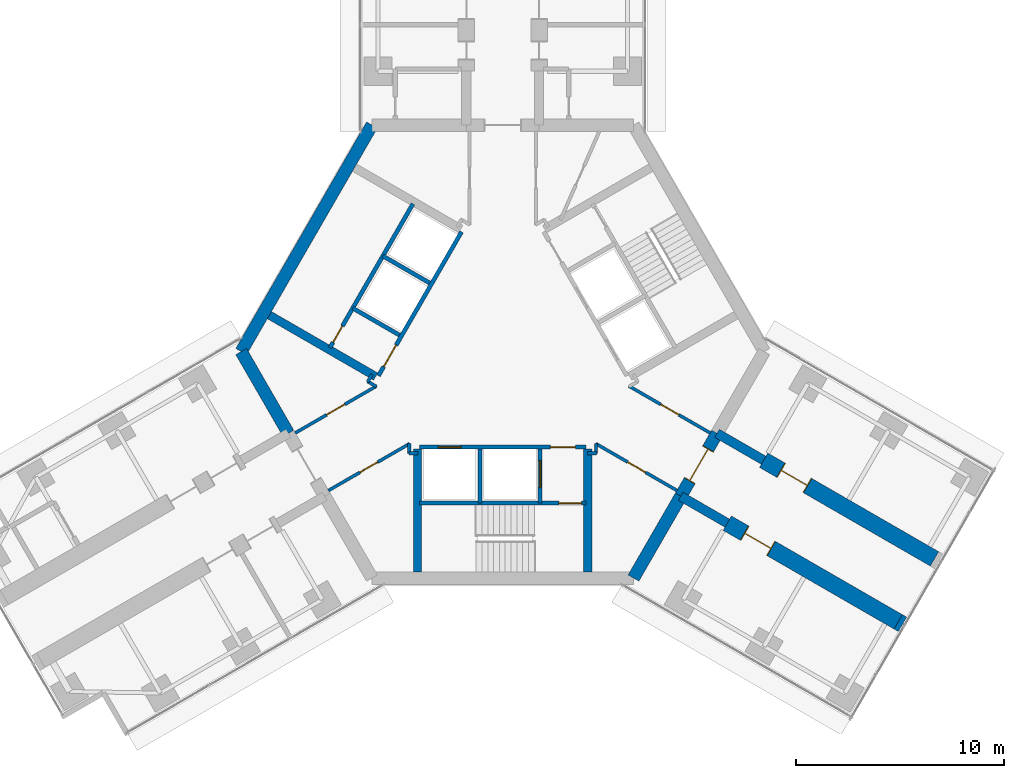
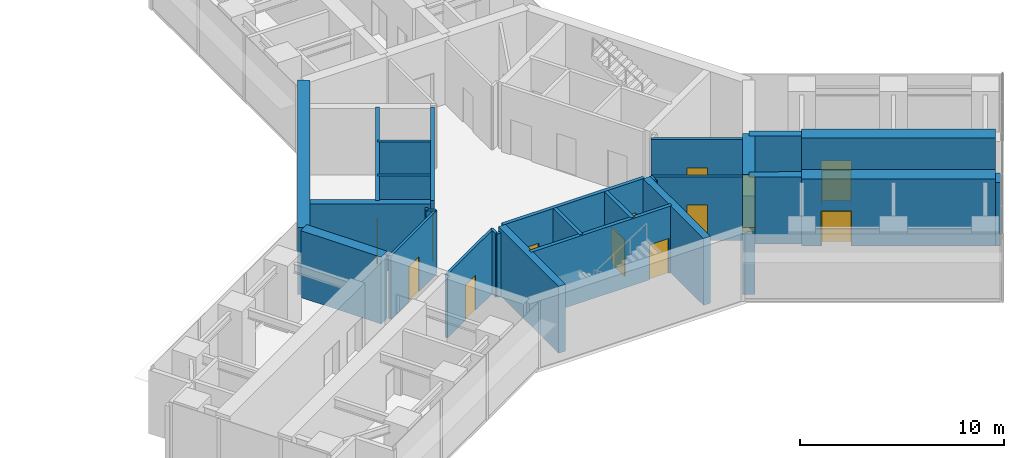
# One storey, part 18 of 21: 30 walls, 13 doors, 13 openings.
"""IFC4 building model written with IfcOpenShell, lengths in metres."""

import ifcopenshell
import ifcopenshell.guid

model = None  # the IFC model being written
_history = None  # IfcOwnerHistory: only IFC2X3 demands one
_inside = {}  # id of a spatial element -> (the spatial element, [elements in it])
_under = {}  # id of a project, library or spatial element -> (it, [spatial elements below it])
_declared = {}  # id of a project -> (the project, [libraries it declares])
_typed = {}  # id of a type object -> (the type object, [elements of that type])
_made_of = {}  # id of a material, layer set ... -> (it, [elements and type objects made of it])


def new_model(schema):
    """Start an empty IFC model of exactly this schema.

    Asked for "IFC4X3", IfcOpenShell would pick the latest addendum, in which some entities
    have other attributes; the version numbers below select the first issue.
    IFC2X3 requires an IfcOwnerHistory on every rooted entity: one is made here for all.
    """
    global model, _history
    if schema == "IFC4X3":
        model = ifcopenshell.file(schema_version=(4, 3, 0, 0))
    else:
        model = ifcopenshell.file(schema=schema)
    _inside.clear()
    _under.clear()
    _declared.clear()
    _typed.clear()
    _made_of.clear()
    _history = None
    if model.schema == "IFC2X3":
        org = make("IfcOrganization", Name="unknown")
        user = make(
            "IfcPersonAndOrganization",
            ThePerson=make("IfcPerson", FamilyName="unknown"),
            TheOrganization=org,
        )
        app = make(
            "IfcApplication",
            ApplicationDeveloper=org,
            Version="unknown",
            ApplicationFullName="unknown",
            ApplicationIdentifier="unknown",
        )
        _history = make(
            "IfcOwnerHistory",
            OwningUser=user,
            OwningApplication=app,
            ChangeAction="ADDED",
            CreationDate=0,
        )
    return model


def make(cls, **values):
    """One entity of the class cls with the attributes given. An attribute that is None is left unset."""
    return model.create_entity(
        cls, **{name: value for name, value in values.items() if value is not None}
    )


def rooted(cls, **values):
    """An entity with a GlobalId (a new one), such as an element, a storey or a relation."""
    return make(cls, GlobalId=ifcopenshell.guid.new(), OwnerHistory=_history, **values)


def si_unit(unit_type, name, prefix=None):
    """IfcSIUnit, for example si_unit("LENGTHUNIT", "METRE", prefix="MILLI")."""
    return make("IfcSIUnit", UnitType=unit_type, Prefix=prefix, Name=name)


def assignment(units):
    """IfcUnitAssignment: the units of a project."""
    return None if units is None else make("IfcUnitAssignment", Units=units)


def point(xyz):
    """IfcCartesianPoint."""
    return None if xyz is None else make("IfcCartesianPoint", Coordinates=xyz)


def direction(xyz):
    """IfcDirection."""
    return None if xyz is None else make("IfcDirection", DirectionRatios=xyz)


def frame(location, z_axis=None, x_axis=None):
    """IfcAxis2Placement3D, a coordinate frame: its origin and axes. An axis left out is left unset."""
    return make(
        "IfcAxis2Placement3D",
        Location=point(location),
        Axis=direction(z_axis),
        RefDirection=direction(x_axis),
    )


def frame_2d(location, x_axis=None):
    """IfcAxis2Placement2D, a coordinate frame in the plane: its origin and x axis."""
    return make(
        "IfcAxis2Placement2D", Location=point(location), RefDirection=direction(x_axis)
    )


def origin():
    """The frame at (0, 0, 0) with its axes left unset."""
    return frame((0.0, 0.0, 0.0))


def place(relative_to, where):
    """IfcLocalPlacement: puts the frame where relative to a parent placement (None: the world)."""
    return make(
        "IfcLocalPlacement", PlacementRelTo=relative_to, RelativePlacement=where
    )


def context(
    kind, dimensions, precision=None, world=None, true_north=None, identifier=None
):
    """IfcGeometricRepresentationContext, for example the 3D "Model" context."""
    return make(
        "IfcGeometricRepresentationContext",
        ContextIdentifier=identifier,
        ContextType=kind,
        CoordinateSpaceDimension=dimensions,
        Precision=precision,
        WorldCoordinateSystem=world,
        TrueNorth=true_north,
    )


def subcontext(parent, identifier, kind, view, scale=None):
    """IfcGeometricRepresentationSubContext, for example "Body" below "Model"."""
    return make(
        "IfcGeometricRepresentationSubContext",
        ContextIdentifier=identifier,
        ContextType=kind,
        ParentContext=parent,
        TargetScale=scale,
        TargetView=view,
    )


def project(units=None, contexts=None):
    """IfcProject with its units and contexts."""
    return rooted(
        "IfcProject",
        Name="project",
        RepresentationContexts=contexts,
        UnitsInContext=assignment(units),
    )


def spatial(cls, under=None, at=None, **own):
    """A site, building, storey or space (cls), placed at a placement, below another one or the project."""
    s = rooted(cls, ObjectPlacement=at, **own)
    if under is not None:
        _under.setdefault(under.id(), (under, []))[1].append(s)
    return s


def profile(cls, at=None, kind="AREA", **sizes):
    """A parametric profile (cls). Its sizes go by their IFC names, for example OverallWidth=200.0."""
    return make(cls, ProfileType=kind, Position=at, **sizes)


def rectangle(**sizes):
    """IfcRectangleProfileDef."""
    return profile("IfcRectangleProfileDef", **sizes)


def extrude(swept, where, along, depth):
    """IfcExtrudedAreaSolid: the profile swept, set in the frame where, extruded along a direction by depth."""
    return make(
        "IfcExtrudedAreaSolid",
        SweptArea=swept,
        Position=where,
        ExtrudedDirection=direction(along),
        Depth=depth,
    )


def shape(context_of_items, identifier, shape_type, items):
    """IfcShapeRepresentation: the items that make up one representation, for example the "Body"."""
    return make(
        "IfcShapeRepresentation",
        ContextOfItems=context_of_items,
        RepresentationIdentifier=identifier,
        RepresentationType=shape_type,
        Items=items,
    )


def material(Name=None, Category=None):
    """IfcMaterial."""
    return make("IfcMaterial", Name=Name, Category=Category)


def layer(
    of_material, thickness, ventilated=None, Name=None, Category=None, Priority=None
):
    """IfcMaterialLayer: one layer of a wall or slab, of a material (None: an air gap)."""
    return make(
        "IfcMaterialLayer",
        Material=of_material,
        LayerThickness=thickness,
        IsVentilated=ventilated,
        Name=Name,
        Category=Category,
        Priority=Priority,
    )


def layer_set(layers, Name=None):
    """IfcMaterialLayerSet."""
    return make("IfcMaterialLayerSet", MaterialLayers=layers, LayerSetName=Name)


def made_of(thing, what):
    """Note that an element or type object is made of a material, layer set ...; save() writes the relation."""
    if what is not None:
        _made_of.setdefault(what.id(), (what, []))[1].append(thing)
    return thing


def type_object(cls, material=None, **own):
    """A type object (cls), such as IfcWallType, which elements share."""
    return made_of(rooted(cls, **own), material)


def element(
    cls,
    number,
    at=None,
    inside=None,
    cuts=None,
    type_object=None,
    material=None,
    context=None,
    identifier="Body",
    shape_type=None,
    held_by="IfcProductDefinitionShape",
    body=None,
    shapes=None,
    **own,
):
    """One element of the class cls, such as IfcWall. Its Tag is "e" and its number.

    at: its placement. inside: the storey or other place that contains it. cuts: it is an
    opening in that element (IfcRelVoidsElement). A single representation is given by context,
    identifier, shape_type and body (its items); several are given by shapes. held_by: the class
    of the entity that holds the representations. save() writes the other relations.
    """
    e = rooted(cls, Tag="e%d" % number, ObjectPlacement=at, **own)
    if body is not None:
        shapes = [shape(context, identifier, shape_type, body)]
    if shapes is not None:
        e.Representation = make(held_by, Representations=shapes)
    if inside is not None:
        _inside.setdefault(inside.id(), (inside, []))[1].append(e)
    if cuts is not None:
        rooted(
            "IfcRelVoidsElement", RelatingBuildingElement=cuts, RelatedOpeningElement=e
        )
    if type_object is not None:
        _typed.setdefault(type_object.id(), (type_object, []))[1].append(e)
    return made_of(e, material)


def fill(opening, filler):
    """IfcRelFillsElement: the door or window that sits in an opening."""
    return rooted(
        "IfcRelFillsElement",
        RelatingOpeningElement=opening,
        RelatedBuildingElement=filler,
    )


def aggregate(whole, parts):
    """IfcRelAggregates: a whole, such as a stair, and the parts it consists of."""
    return rooted("IfcRelAggregates", RelatingObject=whole, RelatedObjects=parts)


def save(model, path):
    """Write the relations noted so far, then the file.

    IfcRelAggregates (storeys below a building ...), IfcRelContainedInSpatialStructure (elements
    in a storey), IfcRelDefinesByType, IfcRelAssociatesMaterial and IfcRelDeclares: one each for
    every whole, place, type object, material and project.
    """
    for whole, parts in _under.values():
        aggregate(whole, parts)
    for where, things in _inside.values():
        rooted(
            "IfcRelContainedInSpatialStructure",
            RelatedElements=things,
            RelatingStructure=where,
        )
    for kind, things in _typed.values():
        rooted("IfcRelDefinesByType", RelatedObjects=things, RelatingType=kind)
    for what, things in _made_of.values():
        rooted("IfcRelAssociatesMaterial", RelatedObjects=things, RelatingMaterial=what)
    for by, libraries in _declared.values():
        rooted("IfcRelDeclares", RelatingContext=by, RelatedDefinitions=libraries)
    model.write(path)


model = new_model("IFC4")

# Units and contexts
model_context = context("Model", 3, precision=1e-05, world=origin(), true_north=direction((0.0, 1.0)))
body_context = subcontext(model_context, "Body", "Model", "MODEL_VIEW")
ifc_project = project(units=[si_unit("LENGTHUNIT", "METRE"), si_unit("AREAUNIT", "SQUARE_METRE"), si_unit("VOLUMEUNIT", "CUBIC_METRE"), si_unit("PLANEANGLEUNIT", "RADIAN"), si_unit("MASSUNIT", "GRAM", prefix="KILO")], contexts=[model_context])

# Site, building, storey
site_placement = place(None, origin())
site = spatial("IfcSite", under=ifc_project, at=site_placement, CompositionType="ELEMENT")
building_placement = place(site_placement, origin())
building = spatial("IfcBuilding", under=site, at=building_placement, Name="Upepo Twin Towers", CompositionType="ELEMENT")
storey_placement = place(building_placement, frame((0.0, 0.0, 109.5)))
storey = spatial("IfcBuildingStorey", under=building, at=storey_placement, Name="L26", CompositionType="ELEMENT", Elevation=109.5)

# Walls
ifc_material_1 = material(Name="Dense concrete blockwork", Category="masonry")
ifc_layer_1 = layer(ifc_material_1, 0.800048828125)
ifc_layer_set_1 = layer_set([ifc_layer_1], Name="Buttress closer 800, blockwork with fire-stopping to the curtain wall")
wall_type_1 = type_object("IfcWallType", Name="Buttress closer 800, blockwork with fire-stopping to the curtain wall", PredefinedType="PARTITIONING", material=ifc_layer_set_1)
wall_1_placement = place(storey_placement, frame((77.543701171875, -31.015625, 0.0), z_axis=(0.0, 0.0, 1.0), x_axis=(0.865827443207, -0.500342721131, 0.0)))
element("IfcWall", 1, at=wall_1_placement, inside=storey, type_object=wall_type_1, Name="T2 L26 wing C buttress closer R", PredefinedType="PARTITIONING", context=body_context, shape_type="SweptSolid", body=[
    extrude(rectangle(XDim=0.249755859375, YDim=0.800048828125, at=frame_2d((0.125, 0.0))), origin(), (0.0, 0.0, 1.0), 3.800048828125),
])
ifc_material_2 = material(Name="Concrete C60/75", Category="concrete")
ifc_layer_2 = layer(ifc_material_2, 0.449951171875)
ifc_layer_set_2 = layer_set([ifc_layer_2], Name="Concrete C60/75")
wall_type_2 = type_object("IfcWallType", Name="Buttress wall 450 RC", PredefinedType="SHEAR", material=ifc_layer_set_2)
for number, where, z_axis, x_axis, name in (
    (2, (68.82177734375, -21.938720703125, 0.0), (0.0, 0.0, 1.0), (0.866072649678, -0.499918158782, 0.0), "T2 wing C buttress wall L"),
    (3, (67.07177734375, -24.9697265625, 0.0), (0.0, 0.0, 1.0), (0.866031863473, -0.499988811324, 0.0), "T2 wing C buttress wall R"),
):
    element("IfcWall", number, at=place(storey_placement, frame(where, z_axis=z_axis, x_axis=x_axis)), inside=storey, type_object=wall_type_2, Name=name, PredefinedType="SHEAR", context=body_context, shape_type="SweptSolid", body=[
        extrude(rectangle(XDim=2.591796875, YDim=0.449951171875, at=frame_2d((1.2958984375, 0.0))), origin(), (0.0, 0.0, 1.0), 4.0),
    ])

# Wall, opening, door
ifc_material_3 = material(Name="Concrete C60/75", Category="concrete")
ifc_layer_3 = layer(ifc_material_3, 0.800048828125)
ifc_layer_set_3 = layer_set([ifc_layer_3], Name="Concrete C60/75")
wall_type_3 = type_object("IfcWallType", Name="Buttress wall 800 RC", PredefinedType="SHEAR", material=ifc_layer_set_3)
wall_2_placement = place(storey_placement, frame((71.06640625, -23.234375, 0.0), z_axis=(0.0, 0.0, 1.0), x_axis=(0.86602681393, -0.499997557548, 0.0)))
wall_2 = element("IfcWall", 4, at=wall_2_placement, inside=storey, type_object=wall_type_3, Name="T2 wing C buttress wall L part 2", PredefinedType="SHEAR", context=body_context, shape_type="SweptSolid", body=[
    extrude(rectangle(XDim=9.5, YDim=0.800048828125, at=frame_2d((4.75, 0.0))), origin(), (0.0, 0.0, 1.0), 4.0),
])
opening_1_placement = place(wall_2_placement, frame((0.949951171875, 0.0, 0.0)))
opening_1 = element("IfcOpeningElement", 5, at=opening_1_placement, cuts=wall_2, Name="Opening D13", PredefinedType="OPENING", context=body_context, shape_type="SweptSolid", body=[
    extrude(rectangle(XDim=1.5, YDim=2.10009765625, at=frame_2d((0.75, 1.050048828125))), frame((0.0, 0.409912109375, 0.0), z_axis=(0.0, -1.0, 0.0), x_axis=(1.0, 0.0, 0.0)), (0.0, 0.0, 1.0), 0.820068359375),
])
ifc_material_4 = material(Name="Timber doorset", Category="wood")
door_type_1 = type_object("IfcDoorType", Name="Double door 1500 FD30", OperationType="DOUBLE_DOOR_SINGLE_SWING", PredefinedType="DOOR", material=ifc_material_4)
door_1_placement = place(opening_1_placement, origin())
door_1 = element("IfcDoor", 6, at=door_1_placement, inside=storey, type_object=door_type_1, Name="T2 L26 tutorial room door", OperationType="DOUBLE_DOOR_SINGLE_SWING", OverallHeight=2.10009765625, OverallWidth=1.5, PredefinedType="DOOR", context=body_context, shape_type="SweptSolid", body=[
    extrude(rectangle(XDim=1.42, YDim=2.06009765625, at=frame_2d((0.75, 1.030029296875))), frame((0.0, 0.02490234375, 0.0), z_axis=(0.0, -1.0, 0.0), x_axis=(1.0, 0.0, 0.0)), (0.0, 0.0, 1.0), 0.050048828125),
    extrude(rectangle(XDim=0.04, YDim=2.10009765625, at=frame_2d((0.02001953125, 1.050048828125))), frame((0.0, 0.39990234375, 0.0), z_axis=(0.0, -1.0, 0.0), x_axis=(1.0, 0.0, 0.0)), (0.0, 0.0, 1.0), 0.799560546875),
    extrude(rectangle(XDim=0.04, YDim=2.10009765625, at=frame_2d((1.47998046875, 1.050048828125))), frame((0.0, 0.39990234375, 0.0), z_axis=(0.0, -1.0, 0.0), x_axis=(1.0, 0.0, 0.0)), (0.0, 0.0, 1.0), 0.799560546875),
    extrude(rectangle(XDim=1.42, YDim=0.04, at=frame_2d((0.75, 2.080078125))), frame((0.0, 0.39990234375, 0.0), z_axis=(0.0, -1.0, 0.0), x_axis=(1.0, 0.0, 0.0)), (0.0, 0.0, 1.0), 0.799560546875),
])
fill(opening_1, door_1)

wall_3_placement = place(storey_placement, frame((69.31640625, -26.265625, 0.0), z_axis=(0.0, 0.0, 1.0), x_axis=(0.86602681393, -0.499997557548, 0.0)))
wall_3 = element("IfcWall", 7, at=wall_3_placement, inside=storey, type_object=wall_type_3, Name="T2 wing C buttress wall R part 2", PredefinedType="SHEAR", context=body_context, shape_type="SweptSolid", body=[
    extrude(rectangle(XDim=9.5, YDim=0.800048828125, at=frame_2d((4.75, 0.0))), origin(), (0.0, 0.0, 1.0), 4.0),
])
opening_2_placement = place(wall_3_placement, frame((0.949951171875, 0.0, 0.0)))
opening_2 = element("IfcOpeningElement", 8, at=opening_2_placement, cuts=wall_3, Name="Opening D13", PredefinedType="OPENING", context=body_context, shape_type="SweptSolid", body=[
    extrude(rectangle(XDim=1.5, YDim=2.10009765625, at=frame_2d((0.75, 1.050048828125))), frame((0.0, 0.409912109375, 0.0), z_axis=(0.0, -1.0, 0.0), x_axis=(1.0, 0.0, 0.0)), (0.0, 0.0, 1.0), 0.820068359375),
])
door_2_placement = place(opening_2_placement, origin())
door_2 = element("IfcDoor", 9, at=door_2_placement, inside=storey, type_object=door_type_1, Name="T2 L26 tutorial room door", OperationType="DOUBLE_DOOR_SINGLE_SWING", OverallHeight=2.10009765625, OverallWidth=1.5, PredefinedType="DOOR", context=body_context, shape_type="SweptSolid", body=[
    extrude(rectangle(XDim=1.42, YDim=2.06009765625, at=frame_2d((0.75, 1.030029296875))), frame((0.0, 0.02490234375, 0.0), z_axis=(0.0, -1.0, 0.0), x_axis=(1.0, 0.0, 0.0)), (0.0, 0.0, 1.0), 0.050048828125),
    extrude(rectangle(XDim=0.04, YDim=2.10009765625, at=frame_2d((0.02001953125, 1.050048828125))), frame((0.0, 0.39990234375, 0.0), z_axis=(0.0, -1.0, 0.0), x_axis=(1.0, 0.0, 0.0)), (0.0, 0.0, 1.0), 0.799560546875),
    extrude(rectangle(XDim=0.04, YDim=2.10009765625, at=frame_2d((1.47998046875, 1.050048828125))), frame((0.0, 0.39990234375, 0.0), z_axis=(0.0, -1.0, 0.0), x_axis=(1.0, 0.0, 0.0)), (0.0, 0.0, 1.0), 0.799560546875),
    extrude(rectangle(XDim=1.42, YDim=0.04, at=frame_2d((0.75, 2.080078125))), frame((0.0, 0.39990234375, 0.0), z_axis=(0.0, -1.0, 0.0), x_axis=(1.0, 0.0, 0.0)), (0.0, 0.0, 1.0), 0.799560546875),
])
fill(opening_2, door_2)

# Walls
ifc_material_5 = material(Name="Concrete C60/75", Category="concrete")
ifc_layer_4 = layer(ifc_material_5, 0.60009765625)
ifc_layer_set_4 = layer_set([ifc_layer_4], Name="Concrete C60/75")
wall_type_4 = type_object("IfcWallType", Name="Core wall 600 RC", PredefinedType="SHEAR", material=ifc_layer_set_4)
wall_4_placement = place(storey_placement, frame((52.2021484375, -7.091552734375, 0.0), z_axis=(0.0, 0.0, 1.0), x_axis=(-0.500005998175, -0.866021940709, 0.0)))
element("IfcWall", 10, at=wall_4_placement, inside=storey, type_object=wall_type_4, Name="T2 core wall 060", PredefinedType="SHEAR", context=body_context, shape_type="SweptSolid", body=[
    extrude(rectangle(XDim=12.595947265625, YDim=0.60009765625, at=frame_2d((6.2978515625, 0.0))), origin(), (0.0, 0.0, 1.0), 4.0),
])
for number, where, z_axis, x_axis, name in (
    (11, (45.904052734375, -18.0, 0.0), (0.0, 0.0, 1.0), (0.500024481964, -0.866011268655, 0.0), "T2 core wall 120 R"),
    (12, (64.7978515625, -28.908447265625, 0.0), (0.0, 0.0, 1.0), (0.499984222037, 0.866034513004, 0.0), "T2 core wall 240 R"),
):
    element("IfcWall", number, at=place(storey_placement, frame(where, z_axis=z_axis, x_axis=x_axis)), inside=storey, type_object=wall_type_4, Name=name, PredefinedType="SHEAR", context=body_context, shape_type="SweptSolid", body=[
        extrude(rectangle(XDim=4.548095703125, YDim=0.60009765625, at=frame_2d((2.27392578125, 0.0))), origin(), (0.0, 0.0, 1.0), 4.0),
    ])

# Wall, opening, door
wall_5_placement = place(storey_placement, frame((67.07177734375, -24.9697265625, 0.0), z_axis=(0.0, 0.0, 1.0), x_axis=(0.500010275428, 0.866019471182, 0.0)))
wall_5 = element("IfcWall", 13, at=wall_5_placement, inside=storey, type_object=wall_type_4, Name="T2 core wall 240", PredefinedType="SHEAR", context=body_context, shape_type="SweptSolid", body=[
    extrude(rectangle(XDim=3.5, YDim=0.60009765625, at=frame_2d((1.75, 0.0))), origin(), (0.0, 0.0, 1.0), 4.0),
])
opening_3_placement = place(wall_5_placement, frame((0.85009765625, 0.0, 0.0)))
opening_3 = element("IfcOpeningElement", 14, at=opening_3_placement, cuts=wall_5, Name="Opening D2", PredefinedType="OPENING", context=body_context, shape_type="SweptSolid", body=[
    extrude(rectangle(XDim=1.800048828125, YDim=2.10009765625, at=frame_2d((0.89990234375, 1.050048828125))), frame((0.0, 0.31005859375, 0.0), z_axis=(0.0, -1.0, 0.0), x_axis=(1.0, 0.0, 0.0)), (0.0, 0.0, 1.0), 0.6201171875),
])
ifc_material_6 = material(Name="Timber doorset", Category="wood")
door_type_2 = type_object("IfcDoorType", Name="Corridor double door 1800 FD60", OperationType="DOUBLE_DOOR_DOUBLE_SWING", PredefinedType="DOOR", material=ifc_material_6)
door_3_placement = place(opening_3_placement, origin())
door_3 = element("IfcDoor", 15, at=door_3_placement, inside=storey, type_object=door_type_2, Name="T2 L26 wing C corridor door", OperationType="DOUBLE_DOOR_DOUBLE_SWING", OverallHeight=2.10009765625, OverallWidth=1.800048828125, PredefinedType="DOOR", context=body_context, shape_type="SweptSolid", body=[
    extrude(rectangle(XDim=1.720048828125, YDim=2.06009765625, at=frame_2d((0.89990234375, 1.030029296875))), frame((0.0, 0.02490234375, 0.0), z_axis=(0.0, -1.0, 0.0), x_axis=(1.0, 0.0, 0.0)), (0.0, 0.0, 1.0), 0.050048828125),
    extrude(rectangle(XDim=0.04, YDim=2.10009765625, at=frame_2d((0.02001953125, 1.050048828125))), frame((0.0, 0.2998046875, 0.0), z_axis=(0.0, -1.0, 0.0), x_axis=(1.0, 0.0, 0.0)), (0.0, 0.0, 1.0), 0.599609375),
    extrude(rectangle(XDim=0.04, YDim=2.10009765625, at=frame_2d((1.780029296875, 1.050048828125))), frame((0.0, 0.2998046875, 0.0), z_axis=(0.0, -1.0, 0.0), x_axis=(1.0, 0.0, 0.0)), (0.0, 0.0, 1.0), 0.599609375),
    extrude(rectangle(XDim=1.720048828125, YDim=0.04, at=frame_2d((0.89990234375, 2.080078125))), frame((0.0, 0.2998046875, 0.0), z_axis=(0.0, -1.0, 0.0), x_axis=(1.0, 0.0, 0.0)), (0.0, 0.0, 1.0), 0.599609375),
])
fill(opening_3, door_3)

ifc_material_7 = material(Name="Concrete C40/50", Category="concrete")
ifc_layer_5 = layer(ifc_material_7, 0.199951171875)
ifc_layer_set_5 = layer_set([ifc_layer_5], Name="Concrete C40/50")
wall_type_5 = type_object("IfcWallType", Name="Shaft wall 200 RC", PredefinedType="SHEAR", material=ifc_layer_set_5)
wall_6_placement = place(storey_placement, frame((56.516357421875, -12.23583984375, 0.0), z_axis=(0.0, 0.0, 1.0), x_axis=(-0.49999894854, -0.866026010844, 0.0)))
wall_6 = element("IfcWall", 16, at=wall_6_placement, inside=storey, type_object=wall_type_5, Name="T2 core W60 front wall", PredefinedType="SHEAR", context=body_context, shape_type="SweptSolid", body=[
    extrude(rectangle(XDim=8.0, YDim=0.199951171875, at=frame_2d((4.0, 0.0))), origin(), (0.0, 0.0, 1.0), 4.0),
])
opening_4_placement = place(wall_6_placement, frame((6.300048828125, 0.0, 0.0)))
opening_4 = element("IfcOpeningElement", 17, at=opening_4_placement, cuts=wall_6, Name="Opening D4", PredefinedType="OPENING", context=body_context, shape_type="SweptSolid", body=[
    extrude(rectangle(XDim=1.199951171875, YDim=2.10009765625, at=frame_2d((0.60009765625, 1.050048828125))), frame((0.0, 0.10986328125, 0.0), z_axis=(0.0, -1.0, 0.0), x_axis=(1.0, 0.0, 0.0)), (0.0, 0.0, 1.0), 0.219970703125),
])
ifc_material_8 = material(Name="Timber doorset", Category="wood")
door_type_3 = type_object("IfcDoorType", Name="Lobby door 1200 FD60", OperationType="SINGLE_SWING_LEFT", PredefinedType="DOOR", material=ifc_material_8)
door_4_placement = place(opening_4_placement, origin())
door_4 = element("IfcDoor", 18, at=door_4_placement, inside=storey, type_object=door_type_3, Name="T2 L26 W60 lobby door", OperationType="SINGLE_SWING_RIGHT", OverallHeight=2.10009765625, OverallWidth=1.199951171875, PredefinedType="DOOR", context=body_context, shape_type="SweptSolid", body=[
    extrude(rectangle(XDim=1.199951171875, YDim=2.10009765625, at=frame_2d((0.60009765625, 1.050048828125))), frame((0.0, 0.02490234375, 0.0), z_axis=(0.0, -1.0, 0.0), x_axis=(1.0, 0.0, 0.0)), (0.0, 0.0, 1.0), 0.050048828125),
])
fill(opening_4, door_4)

# Walls
for number, where, z_axis, x_axis, name in (
    (19, (54.979736328125, -14.697265625, 0.0), (0.0, 0.0, 1.0), (-0.866062058628, 0.499936506574, 0.0), "T2 core W60 shaft divider"),
    (20, (53.52978515625, -17.208740234375, 0.0), (0.0, 0.0, 1.0), (-0.866062058628, 0.499936506574, 0.0), "T2 core W60 lobby wall"),
):
    element("IfcWall", number, at=place(storey_placement, frame(where, z_axis=z_axis, x_axis=x_axis)), inside=storey, type_object=wall_type_5, Name=name, PredefinedType="SHEAR", context=body_context, shape_type="SweptSolid", body=[
        extrude(rectangle(XDim=2.599853515625, YDim=0.199951171875, at=frame_2d((1.2998046875, 0.0))), origin(), (0.0, 0.0, 1.0), 4.0),
    ])

# Wall, opening, door
wall_7_placement = place(storey_placement, frame((54.177978515625, -10.885986328125, 0.0), z_axis=(0.0, 0.0, 1.0), x_axis=(-0.49999894854, -0.866026010844, 0.0)))
wall_7 = element("IfcWall", 21, at=wall_7_placement, inside=storey, type_object=wall_type_5, Name="T2 core W60 stair wall", PredefinedType="SHEAR", context=body_context, shape_type="SweptSolid", body=[
    extrude(rectangle(XDim=8.0, YDim=0.199951171875, at=frame_2d((4.0, 0.0))), origin(), (0.0, 0.0, 1.0), 4.0),
])
opening_5_placement = place(wall_7_placement, frame((6.800048828125, 0.0, 0.0)))
opening_5 = element("IfcOpeningElement", 22, at=opening_5_placement, cuts=wall_7, Name="Opening D9", PredefinedType="OPENING", context=body_context, shape_type="SweptSolid", body=[
    extrude(rectangle(XDim=0.89990234375, YDim=2.10009765625, at=frame_2d((0.449951171875, 1.050048828125))), frame((0.0, 0.10986328125, 0.0), z_axis=(0.0, -1.0, 0.0), x_axis=(1.0, 0.0, 0.0)), (0.0, 0.0, 1.0), 0.219970703125),
])
ifc_material_9 = material(Name="Timber doorset", Category="wood")
door_type_4 = type_object("IfcDoorType", Name="Riser door 900 FD60", OperationType="SINGLE_SWING_LEFT", PredefinedType="DOOR", material=ifc_material_9)
door_5_placement = place(opening_5_placement, origin())
door_5 = element("IfcDoor", 23, at=door_5_placement, inside=storey, type_object=door_type_4, Name="T2 L26 riser door", OperationType="SINGLE_SWING_RIGHT", OverallHeight=2.10009765625, OverallWidth=0.89990234375, PredefinedType="DOOR", context=body_context, shape_type="SweptSolid", body=[
    extrude(rectangle(XDim=0.89990234375, YDim=2.10009765625, at=frame_2d((0.449951171875, 1.050048828125))), frame((0.0, 0.02490234375, 0.0), z_axis=(0.0, -1.0, 0.0), x_axis=(1.0, 0.0, 0.0)), (0.0, 0.0, 1.0), 0.050048828125),
])
fill(opening_5, door_5)

# Wall, openings, doors
wall_8_placement = place(storey_placement, frame((54.5, -22.60009765625, 0.0), z_axis=(0.0, 0.0, 1.0), x_axis=(1.0, 0.0, 0.0)))
wall_8 = element("IfcWall", 24, at=wall_8_placement, inside=storey, type_object=wall_type_5, Name="T2 core W180 front wall", PredefinedType="SHEAR", context=body_context, shape_type="SweptSolid", body=[
    extrude(rectangle(XDim=8.0, YDim=0.199951171875, at=frame_2d((4.0, 0.0))), origin(), (0.0, 0.0, 1.0), 4.0),
])
opening_6_placement = place(wall_8_placement, frame((6.300048828125, 0.0, 0.0)))
opening_6 = element("IfcOpeningElement", 25, at=opening_6_placement, cuts=wall_8, Name="Opening D4", PredefinedType="OPENING", context=body_context, shape_type="SweptSolid", body=[
    extrude(rectangle(XDim=1.199951171875, YDim=2.10009765625, at=frame_2d((0.60009765625, 1.050048828125))), frame((0.0, 0.10986328125, 0.0), z_axis=(0.0, -1.0, 0.0), x_axis=(1.0, 0.0, 0.0)), (0.0, 0.0, 1.0), 0.219970703125),
])
opening_7_placement = place(wall_8_placement, frame((0.89990234375, 0.0, 0.0)))
opening_7 = element("IfcOpeningElement", 26, at=opening_7_placement, cuts=wall_8, Name="Opening LD1", PredefinedType="OPENING", context=body_context, shape_type="SweptSolid", body=[
    extrude(rectangle(XDim=1.10009765625, YDim=2.199951171875, at=frame_2d((0.550048828125, 1.10009765625))), frame((0.0, 0.10986328125, 0.0), z_axis=(0.0, -1.0, 0.0), x_axis=(1.0, 0.0, 0.0)), (0.0, 0.0, 1.0), 0.219970703125),
])
ifc_material_10 = material(Name="Steel doorset", Category="steel")
door_type_5 = type_object("IfcDoorType", Name="Lift landing door 1100", OperationType="DOUBLE_DOOR_SLIDING", PredefinedType="DOOR", material=ifc_material_10)
door_6_placement = place(opening_7_placement, origin())
door_6 = element("IfcDoor", 27, at=door_6_placement, inside=storey, type_object=door_type_5, Name="T2 L26 lift SV1 landing door", OperationType="DOUBLE_DOOR_SLIDING", OverallHeight=2.199951171875, OverallWidth=1.10009765625, PredefinedType="DOOR", context=body_context, shape_type="SweptSolid", body=[
    extrude(rectangle(XDim=1.10009765625, YDim=2.199951171875, at=frame_2d((0.550048828125, 1.10009765625))), frame((0.0, 0.02490234375, 0.0), z_axis=(0.0, -1.0, 0.0), x_axis=(1.0, 0.0, 0.0)), (0.0, 0.0, 1.0), 0.050048828125),
])
fill(opening_7, door_6)
door_7_placement = place(opening_6_placement, origin())
door_7 = element("IfcDoor", 28, at=door_7_placement, inside=storey, type_object=door_type_3, Name="T2 L26 W180 lobby door", OperationType="SINGLE_SWING_RIGHT", OverallHeight=2.10009765625, OverallWidth=1.199951171875, PredefinedType="DOOR", context=body_context, shape_type="SweptSolid", body=[
    extrude(rectangle(XDim=1.199951171875, YDim=2.10009765625, at=frame_2d((0.60009765625, 1.050048828125))), frame((0.0, 0.02490234375, 0.0), z_axis=(0.0, -1.0, 0.0), x_axis=(1.0, 0.0, 0.0)), (0.0, 0.0, 1.0), 0.050048828125),
])
fill(opening_6, door_7)

# Wall
wall_9_placement = place(storey_placement, frame((57.39990234375, -22.699951171875, 0.0), z_axis=(0.0, 0.0, 1.0), x_axis=(0.0, -1.0, 0.0)))
element("IfcWall", 29, at=wall_9_placement, inside=storey, type_object=wall_type_5, Name="T2 core W180 shaft divider", PredefinedType="SHEAR", context=body_context, shape_type="SweptSolid", body=[
    extrude(rectangle(XDim=2.60009765625, YDim=0.199951171875, at=frame_2d((1.300048828125, 0.0))), origin(), (0.0, 0.0, 1.0), 4.0),
])

# Wall, opening, door
wall_10_placement = place(storey_placement, frame((60.300048828125, -22.699951171875, 0.0), z_axis=(0.0, 0.0, 1.0), x_axis=(0.0, -1.0, 0.0)))
wall_10 = element("IfcWall", 30, at=wall_10_placement, inside=storey, type_object=wall_type_5, Name="T2 core W180 lobby wall", PredefinedType="SHEAR", context=body_context, shape_type="SweptSolid", body=[
    extrude(rectangle(XDim=2.60009765625, YDim=0.199951171875, at=frame_2d((1.300048828125, 0.0))), origin(), (0.0, 0.0, 1.0), 4.0),
])
opening_8_placement = place(wall_10_placement, frame((0.550048828125, 0.0, 0.0)))
opening_8 = element("IfcOpeningElement", 31, at=opening_8_placement, cuts=wall_10, Name="Opening LD2", PredefinedType="OPENING", context=body_context, shape_type="SweptSolid", body=[
    extrude(rectangle(XDim=1.300048828125, YDim=2.199951171875, at=frame_2d((0.64990234375, 1.10009765625))), frame((0.0, 0.10986328125, 0.0), z_axis=(0.0, -1.0, 0.0), x_axis=(1.0, 0.0, 0.0)), (0.0, 0.0, 1.0), 0.219970703125),
])
ifc_material_11 = material(Name="Steel doorset", Category="steel")
door_type_6 = type_object("IfcDoorType", Name="Firefighting lift landing door 1300", OperationType="DOUBLE_DOOR_SLIDING", PredefinedType="DOOR", material=ifc_material_11)
door_8_placement = place(opening_8_placement, origin())
door_8 = element("IfcDoor", 32, at=door_8_placement, inside=storey, type_object=door_type_6, Name="T2 L26 firefighting lift landing door", OperationType="DOUBLE_DOOR_SLIDING", OverallHeight=2.199951171875, OverallWidth=1.300048828125, PredefinedType="DOOR", context=body_context, shape_type="SweptSolid", body=[
    extrude(rectangle(XDim=1.300048828125, YDim=2.199951171875, at=frame_2d((0.64990234375, 1.10009765625))), frame((0.0, 0.02490234375, 0.0), z_axis=(0.0, -1.0, 0.0), x_axis=(1.0, 0.0, 0.0)), (0.0, 0.0, 1.0), 0.050048828125),
])
fill(opening_8, door_8)

wall_11_placement = place(storey_placement, frame((54.5, -25.300048828125, 0.0), z_axis=(0.0, 0.0, 1.0), x_axis=(1.0, 0.0, 0.0)))
wall_11 = element("IfcWall", 33, at=wall_11_placement, inside=storey, type_object=wall_type_5, Name="T2 core W180 stair wall", PredefinedType="SHEAR", context=body_context, shape_type="SweptSolid", body=[
    extrude(rectangle(XDim=8.0, YDim=0.199951171875, at=frame_2d((4.0, 0.0))), origin(), (0.0, 0.0, 1.0), 4.0),
])
opening_9_placement = place(wall_11_placement, frame((6.699951171875, 0.0, 0.0)))
opening_9 = element("IfcOpeningElement", 34, at=opening_9_placement, cuts=wall_11, Name="Opening D3", PredefinedType="OPENING", context=body_context, shape_type="SweptSolid", body=[
    extrude(rectangle(XDim=1.10009765625, YDim=2.10009765625, at=frame_2d((0.550048828125, 1.050048828125))), frame((0.0, 0.10986328125, 0.0), z_axis=(0.0, -1.0, 0.0), x_axis=(1.0, 0.0, 0.0)), (0.0, 0.0, 1.0), 0.219970703125),
])
ifc_material_12 = material(Name="Timber doorset", Category="wood")
door_type_7 = type_object("IfcDoorType", Name="Stair door 1100 FD60", OperationType="SINGLE_SWING_LEFT", PredefinedType="DOOR", material=ifc_material_12)
door_9_placement = place(opening_9_placement, origin())
door_9 = element("IfcDoor", 35, at=door_9_placement, inside=storey, type_object=door_type_7, Name="T2 L26 stair door", OperationType="SINGLE_SWING_RIGHT", OverallHeight=2.10009765625, OverallWidth=1.10009765625, PredefinedType="DOOR", context=body_context, shape_type="SweptSolid", body=[
    extrude(rectangle(XDim=1.10009765625, YDim=2.10009765625, at=frame_2d((0.550048828125, 1.050048828125))), frame((0.0, 0.02490234375, 0.0), z_axis=(0.0, -1.0, 0.0), x_axis=(1.0, 0.0, 0.0)), (0.0, 0.0, 1.0), 0.050048828125),
])
fill(opening_9, door_9)

# Walls
ifc_material_13 = material(Name="Concrete C40/50", Category="concrete")
ifc_layer_6 = layer(ifc_material_13, 0.39990234375)
ifc_layer_set_6 = layer_set([ifc_layer_6], Name="Concrete C40/50")
wall_type_6 = type_object("IfcWallType", Name="Shaft wall 400 RC", PredefinedType="SHEAR", material=ifc_layer_set_6)
wall_12_placement = place(storey_placement, frame((52.379638671875, -19.20068359375, 0.0), z_axis=(0.0, 0.0, 1.0), x_axis=(-0.866027317282, 0.49999668571, 0.0)))
element("IfcWall", 36, at=wall_12_placement, inside=storey, type_object=wall_type_6, Name="T2 core W60 side wall N", PredefinedType="SHEAR", context=body_context, shape_type="SweptSolid", body=[
    extrude(rectangle(XDim=5.908203125, YDim=0.39990234375, at=frame_2d((2.9541015625, 0.0))), origin(), (0.0, 0.0, 1.0), 4.0),
])
for number, where, z_axis, x_axis, name in (
    (37, (62.60009765625, -22.699951171875, 0.0), (0.0, 0.0, 1.0), (0.0, -1.0, 0.0), "T2 core W180 side wall N"),
    (38, (54.39990234375, -22.699951171875, 0.0), (0.0, 0.0, 1.0), (0.0, -1.0, 0.0), "T2 core W180 side wall S"),
):
    element("IfcWall", number, at=place(storey_placement, frame(where, z_axis=z_axis, x_axis=x_axis)), inside=storey, type_object=wall_type_6, Name=name, PredefinedType="SHEAR", context=body_context, shape_type="SweptSolid", body=[
        extrude(rectangle(XDim=5.908447265625, YDim=0.39990234375, at=frame_2d((2.9541015625, 0.0))), origin(), (0.0, 0.0, 1.0), 4.0),
    ])
ifc_material_14 = material(Name="Gypsum board on steel studs", Category="steel")
ifc_layer_7 = layer(ifc_material_14, 0.14990234375)
ifc_layer_set_7 = layer_set([ifc_layer_7], Name="Teaching partition 150 acoustic")
wall_type_7 = type_object("IfcWallType", Name="Teaching partition 150 acoustic", PredefinedType="PARTITIONING", material=ifc_layer_set_7)
wall_13_placement = place(storey_placement, frame((54.0, -22.919921875, 0.0), z_axis=(0.0, 0.0, 1.0), x_axis=(0.0, 1.0, 0.0)))
element("IfcWall", 39, at=wall_13_placement, inside=storey, type_object=wall_type_7, Name="T2 core room partition 1", PredefinedType="PARTITIONING", context=body_context, shape_type="SweptSolid", body=[
    extrude(rectangle(XDim=0.494384765625, YDim=0.14990234375, at=frame_2d((0.2470703125, 0.0))), origin(), (0.0, 0.0, 1.0), 3.800048828125),
])

# Wall, opening, door
wall_14_placement = place(storey_placement, frame((54.017333984375, -22.435546875, 0.0), z_axis=(0.0, 0.0, 1.0), x_axis=(-0.86602002524, -0.500009315796, 0.0)))
wall_14 = element("IfcWall", 40, at=wall_14_placement, inside=storey, type_object=wall_type_7, Name="T2 core room partition 2", PredefinedType="PARTITIONING", context=body_context, shape_type="SweptSolid", body=[
    extrude(rectangle(XDim=4.5185546875, YDim=0.14990234375, at=frame_2d((2.25927734375, 0.0))), origin(), (0.0, 0.0, 1.0), 3.800048828125),
])
opening_10_placement = place(wall_14_placement, frame((1.769287109375, 0.0, 0.0)))
opening_10 = element("IfcOpeningElement", 41, at=opening_10_placement, cuts=wall_14, Name="Opening D1", PredefinedType="OPENING", context=body_context, shape_type="SweptSolid", body=[
    extrude(rectangle(XDim=1.0, YDim=2.10009765625, at=frame_2d((0.5, 1.050048828125))), frame((0.0, 0.0849609375, 0.0), z_axis=(0.0, -1.0, 0.0), x_axis=(1.0, 0.0, 0.0)), (0.0, 0.0, 1.0), 0.169921875),
])
ifc_material_15 = material(Name="Timber doorset", Category="wood")
door_type_8 = type_object("IfcDoorType", Name="Room door 1000 FD30", OperationType="SINGLE_SWING_LEFT", PredefinedType="DOOR", material=ifc_material_15)
door_10_placement = place(opening_10_placement, origin())
door_10 = element("IfcDoor", 42, at=door_10_placement, inside=storey, type_object=door_type_8, Name="T2 L26 core room door K2", OperationType="SINGLE_SWING_RIGHT", OverallHeight=2.10009765625, OverallWidth=1.0, PredefinedType="DOOR", context=body_context, shape_type="SweptSolid", body=[
    extrude(rectangle(XDim=1.0, YDim=2.10009765625, at=frame_2d((0.5, 1.050048828125))), frame((0.0, 0.02490234375, 0.0), z_axis=(0.0, -1.0, 0.0), x_axis=(1.0, 0.0, 0.0)), (0.0, 0.0, 1.0), 0.050048828125),
])
fill(opening_10, door_10)

wall_15_placement = place(storey_placement, frame((48.50439453125, -21.923583984375, 0.0), z_axis=(0.0, 0.0, 1.0), x_axis=(0.866006515865, 0.500032713409, 0.0)))
wall_15 = element("IfcWall", 43, at=wall_15_placement, inside=storey, type_object=wall_type_7, Name="T2 core room partition 3", PredefinedType="PARTITIONING", context=body_context, shape_type="SweptSolid", body=[
    extrude(rectangle(XDim=4.518310546875, YDim=0.14990234375, at=frame_2d((2.25927734375, 0.0))), origin(), (0.0, 0.0, 1.0), 3.800048828125),
])
opening_11_placement = place(wall_15_placement, frame((1.7490234375, 0.0, 0.0)))
opening_11 = element("IfcOpeningElement", 44, at=opening_11_placement, cuts=wall_15, Name="Opening D1", PredefinedType="OPENING", context=body_context, shape_type="SweptSolid", body=[
    extrude(rectangle(XDim=1.0, YDim=2.10009765625, at=frame_2d((0.5, 1.050048828125))), frame((0.0, 0.0849609375, 0.0), z_axis=(0.0, -1.0, 0.0), x_axis=(1.0, 0.0, 0.0)), (0.0, 0.0, 1.0), 0.169921875),
])
door_11_placement = place(opening_11_placement, origin())
door_11 = element("IfcDoor", 45, at=door_11_placement, inside=storey, type_object=door_type_8, Name="T2 L26 core room door K1", OperationType="SINGLE_SWING_LEFT", OverallHeight=2.10009765625, OverallWidth=1.0, PredefinedType="DOOR", context=body_context, shape_type="SweptSolid", body=[
    extrude(rectangle(XDim=1.0, YDim=2.10009765625, at=frame_2d((0.5, 1.050048828125))), frame((0.0, 0.02490234375, 0.0), z_axis=(0.0, -1.0, 0.0), x_axis=(1.0, 0.0, 0.0)), (0.0, 0.0, 1.0), 0.050048828125),
])
fill(opening_11, door_11)

# Walls
wall_16_placement = place(storey_placement, frame((52.417236328125, -19.684326171875, 0.0), z_axis=(0.0, 0.0, 1.0), x_axis=(-0.865831790172, 0.50033519877, 0.0)))
element("IfcWall", 46, at=wall_16_placement, inside=storey, type_object=wall_type_7, Name="T2 core room partition 4", PredefinedType="PARTITIONING", context=body_context, shape_type="SweptSolid", body=[
    extrude(rectangle(XDim=0.494384765625, YDim=0.14990234375, at=frame_2d((0.2470703125, 0.0))), origin(), (0.0, 0.0, 1.0), 3.800048828125),
])
wall_17_placement = place(storey_placement, frame((51.99658203125, -19.46435546875, 0.0), z_axis=(0.0, 0.0, 1.0), x_axis=(0.499804398801, 0.866138304741, 0.0)))
element("IfcWall", 47, at=wall_17_placement, inside=storey, type_object=wall_type_7, Name="T2 core room partition 5", PredefinedType="PARTITIONING", context=body_context, shape_type="SweptSolid", body=[
    extrude(rectangle(XDim=0.429931640625, YDim=0.14990234375, at=frame_2d((0.21484375, 0.0))), origin(), (0.0, 0.0, 1.0), 3.800048828125),
])

# Wall, opening, door
wall_18_placement = place(storey_placement, frame((64.582763671875, -19.664306640625, 0.0), z_axis=(0.0, 0.0, 1.0), x_axis=(0.866006515865, -0.500032713409, 0.0)))
wall_18 = element("IfcWall", 48, at=wall_18_placement, inside=storey, type_object=wall_type_7, Name="T2 core room partition 14", PredefinedType="PARTITIONING", context=body_context, shape_type="SweptSolid", body=[
    extrude(rectangle(XDim=4.518310546875, YDim=0.14990234375, at=frame_2d((2.25927734375, 0.0))), origin(), (0.0, 0.0, 1.0), 3.800048828125),
])
opening_12_placement = place(wall_18_placement, frame((1.769287109375, 0.0, 0.0)))
opening_12 = element("IfcOpeningElement", 49, at=opening_12_placement, cuts=wall_18, Name="Opening D1", PredefinedType="OPENING", context=body_context, shape_type="SweptSolid", body=[
    extrude(rectangle(XDim=1.0, YDim=2.10009765625, at=frame_2d((0.5, 1.050048828125))), frame((0.0, 0.0849609375, 0.0), z_axis=(0.0, -1.0, 0.0), x_axis=(1.0, 0.0, 0.0)), (0.0, 0.0, 1.0), 0.169921875),
])
door_12_placement = place(opening_12_placement, origin())
door_12 = element("IfcDoor", 50, at=door_12_placement, inside=storey, type_object=door_type_8, Name="T2 L26 core room door K4", OperationType="SINGLE_SWING_RIGHT", OverallHeight=2.10009765625, OverallWidth=1.0, PredefinedType="DOOR", context=body_context, shape_type="SweptSolid", body=[
    extrude(rectangle(XDim=1.0, YDim=2.10009765625, at=frame_2d((0.5, 1.050048828125))), frame((0.0, 0.02490234375, 0.0), z_axis=(0.0, -1.0, 0.0), x_axis=(1.0, 0.0, 0.0)), (0.0, 0.0, 1.0), 0.050048828125),
])
fill(opening_12, door_12)

wall_19_placement = place(storey_placement, frame((66.895751953125, -24.69482421875, 0.0), z_axis=(0.0, 0.0, 1.0), x_axis=(-0.86602002524, 0.500009315796, 0.0)))
wall_19 = element("IfcWall", 51, at=wall_19_placement, inside=storey, type_object=wall_type_7, Name="T2 core room partition 15", PredefinedType="PARTITIONING", context=body_context, shape_type="SweptSolid", body=[
    extrude(rectangle(XDim=4.5185546875, YDim=0.14990234375, at=frame_2d((2.25927734375, 0.0))), origin(), (0.0, 0.0, 1.0), 3.800048828125),
])
opening_13_placement = place(wall_19_placement, frame((1.7490234375, 0.0, 0.0)))
opening_13 = element("IfcOpeningElement", 52, at=opening_13_placement, cuts=wall_19, Name="Opening D1", PredefinedType="OPENING", context=body_context, shape_type="SweptSolid", body=[
    extrude(rectangle(XDim=1.0, YDim=2.10009765625, at=frame_2d((0.5, 1.050048828125))), frame((0.0, 0.0849609375, 0.0), z_axis=(0.0, -1.0, 0.0), x_axis=(1.0, 0.0, 0.0)), (0.0, 0.0, 1.0), 0.169921875),
])
door_13_placement = place(opening_13_placement, origin())
door_13 = element("IfcDoor", 53, at=door_13_placement, inside=storey, type_object=door_type_8, Name="T2 L26 core room door K3", OperationType="SINGLE_SWING_LEFT", OverallHeight=2.10009765625, OverallWidth=1.0, PredefinedType="DOOR", context=body_context, shape_type="SweptSolid", body=[
    extrude(rectangle(XDim=1.0, YDim=2.10009765625, at=frame_2d((0.5, 1.050048828125))), frame((0.0, 0.02490234375, 0.0), z_axis=(0.0, -1.0, 0.0), x_axis=(1.0, 0.0, 0.0)), (0.0, 0.0, 1.0), 0.050048828125),
])
fill(opening_13, door_13)

# Walls
wall_20_placement = place(storey_placement, frame((63.0, -22.425537109375, 0.0), z_axis=(0.0, 0.0, 1.0), x_axis=(0.0, -1.0, 0.0)))
element("IfcWall", 54, at=wall_20_placement, inside=storey, type_object=wall_type_7, Name="T2 core room partition 16", PredefinedType="PARTITIONING", context=body_context, shape_type="SweptSolid", body=[
    extrude(rectangle(XDim=0.494384765625, YDim=0.14990234375, at=frame_2d((0.2470703125, 0.0))), origin(), (0.0, 0.0, 1.0), 3.800048828125),
])
for number, where, z_axis, x_axis, name in (
    (55, (63.02001953125, -22.89990234375, 0.0), (0.0, 0.0, 1.0), (-1.0, 0.0, 0.0), "T2 core room partition 17"),
    (56, (54.409912109375, -22.89990234375, 0.0), (0.0, 0.0, 1.0), (-1.0, 0.0, 0.0), "T2 core room partition 18"),
):
    element("IfcWall", number, at=place(storey_placement, frame(where, z_axis=z_axis, x_axis=x_axis)), inside=storey, type_object=wall_type_7, Name=name, PredefinedType="PARTITIONING", context=body_context, shape_type="SweptSolid", body=[
        extrude(rectangle(XDim=0.429931640625, YDim=0.14990234375, at=frame_2d((0.21484375, 0.0))), origin(), (0.0, 0.0, 1.0), 3.800048828125),
    ])

save(model, "model.ifc")
